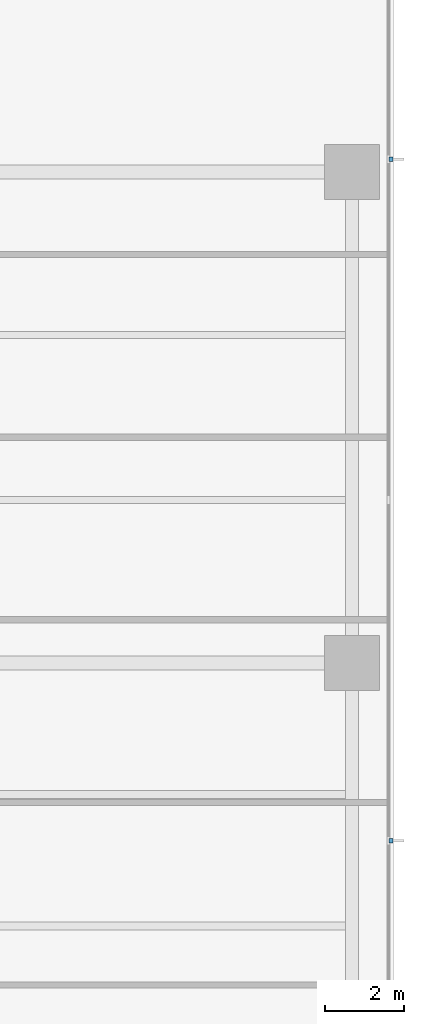
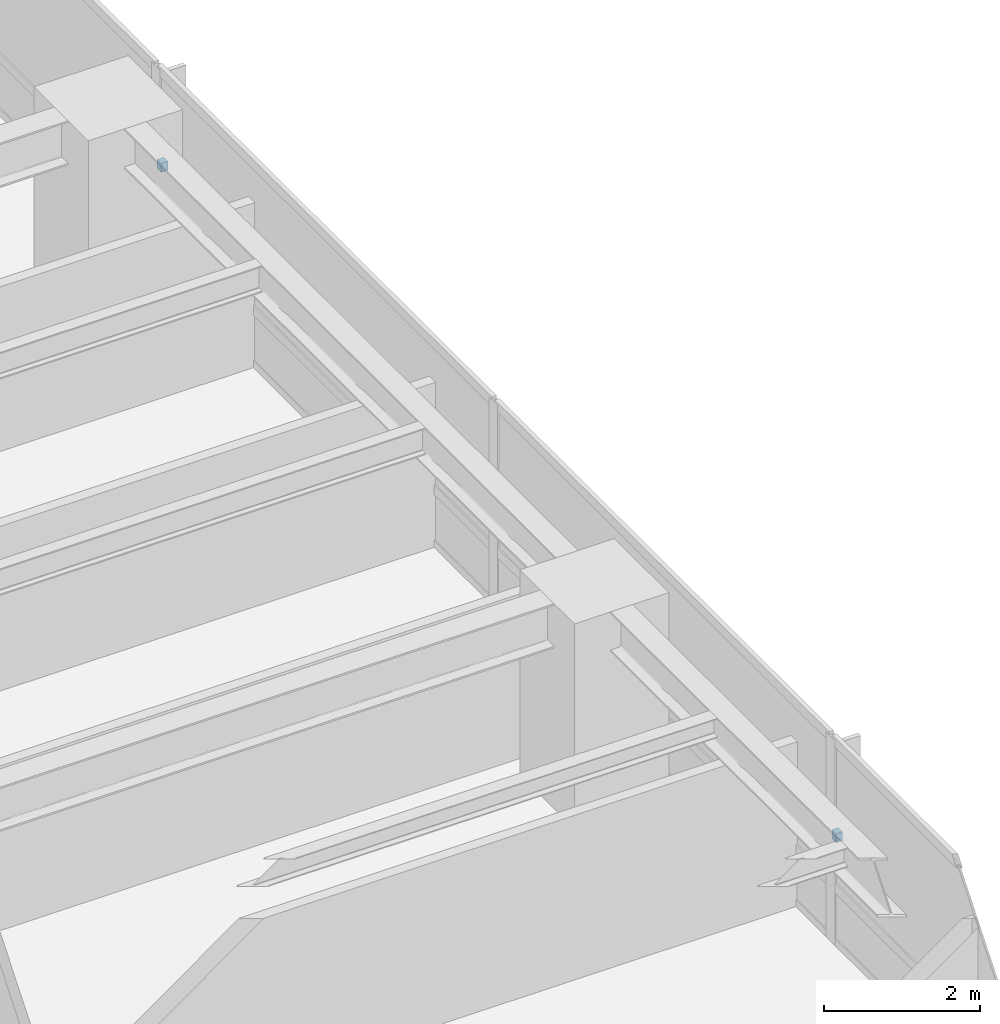
# One storey, part 13 of 17: 2 discrete accessories.
"""IFC4 building model written with IfcOpenShell, lengths in metres."""

from ifc_helpers import new_model, si_unit, direction, frame, origin, place, context, subcontext, project, spatial, polyline, outline, extrude, material, type_object, element, save


model = new_model("IFC4")

# Units and contexts
model_context = context("Model", 3, precision=1e-05, world=origin(), true_north=direction((0.0, 1.0)))
body_context = subcontext(model_context, "Body", "Model", "MODEL_VIEW")
ifc_project = project(units=[si_unit("LENGTHUNIT", "METRE"), si_unit("AREAUNIT", "SQUARE_METRE"), si_unit("VOLUMEUNIT", "CUBIC_METRE"), si_unit("PLANEANGLEUNIT", "RADIAN"), si_unit("MASSUNIT", "GRAM", prefix="KILO")], contexts=[model_context])

# Site, building, storey
site_placement = place(None, origin())
site = spatial("IfcSite", under=ifc_project, at=site_placement, CompositionType="ELEMENT")
building_placement = place(site_placement, origin())
building = spatial("IfcBuilding", under=site, at=building_placement, Name="Qalmaran Belvedere Hotel", CompositionType="ELEMENT")
storey_placement = place(building_placement, frame((0.0, 0.0, 61.39990234375)))
storey = spatial("IfcBuildingStorey", under=building, at=storey_placement, Name="L15", CompositionType="ELEMENT", Elevation=61.39990234375)

# Discrete accessories
ifc_material = material(Name="Stainless Steel 1.4401", Category="steel")
discrete_accessory_type = type_object("IfcDiscreteAccessoryType", Name="BRK-FIN-SS316", PredefinedType="BRACKET", material=ifc_material)
discrete_accessory_1_placement = place(storey_placement, frame((0.0, 0.0, 1.56005859375)))
element("IfcDiscreteAccessory", 1, at=discrete_accessory_1_placement, inside=storey, type_object=discrete_accessory_type, Name="L15 Fin Bracket 1", PredefinedType="BRACKET", context=body_context, shape_type="SweptSolid", body=[
    extrude(outline(polyline([(61.695068359375, 15.919921875), (61.79248046875, 15.919921875), (61.79248046875, 16.030029296875), (61.695068359375, 16.030029296875), (61.695068359375, 15.919921875)])), origin(), (0.0, 0.0, 1.0), 0.14013671875),
])
discrete_accessory_2_placement = place(storey_placement, frame((0.0, 0.0, 1.56005859375)))
element("IfcDiscreteAccessory", 2, at=discrete_accessory_2_placement, inside=storey, type_object=discrete_accessory_type, Name="L15 Fin Bracket 3", PredefinedType="BRACKET", context=body_context, shape_type="SweptSolid", body=[
    extrude(outline(polyline([(61.695068359375, 33.27001953125), (61.79248046875, 33.27001953125), (61.79248046875, 33.3798828125), (61.695068359375, 33.3798828125), (61.695068359375, 33.27001953125)])), origin(), (0.0, 0.0, 1.0), 0.14013671875),
])

save(model, "model.ifc")
